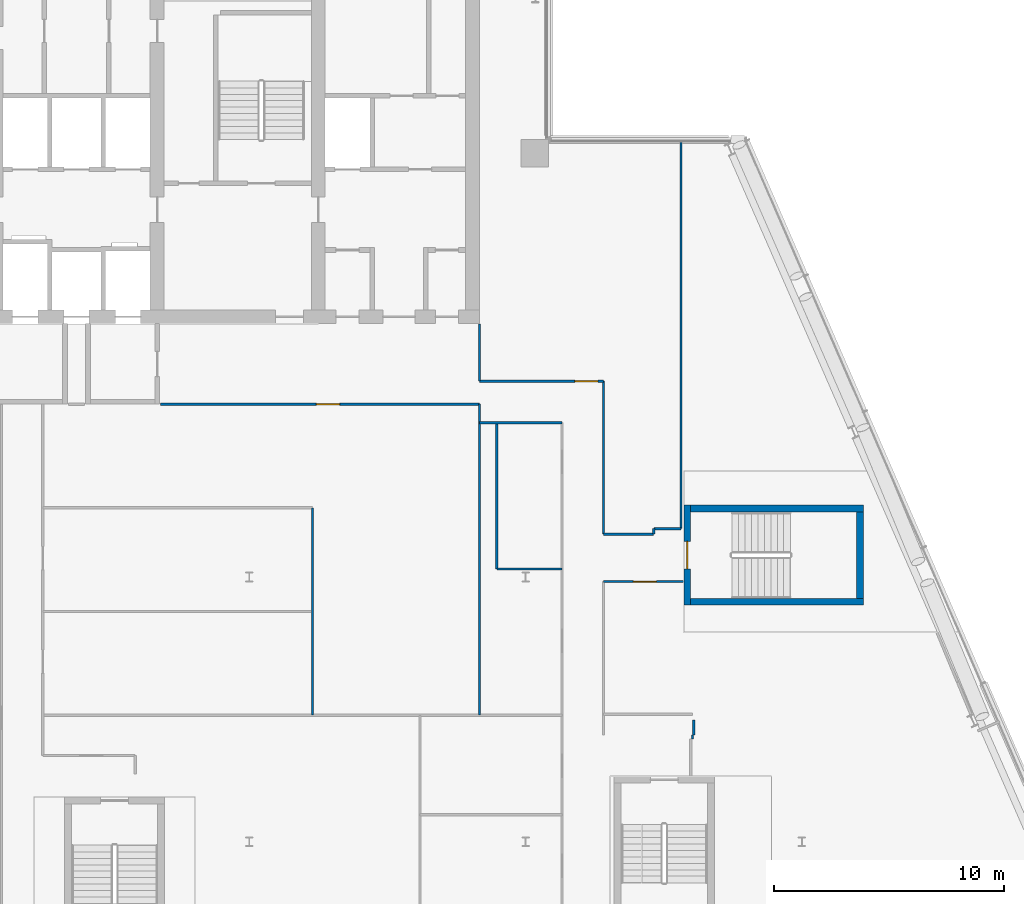
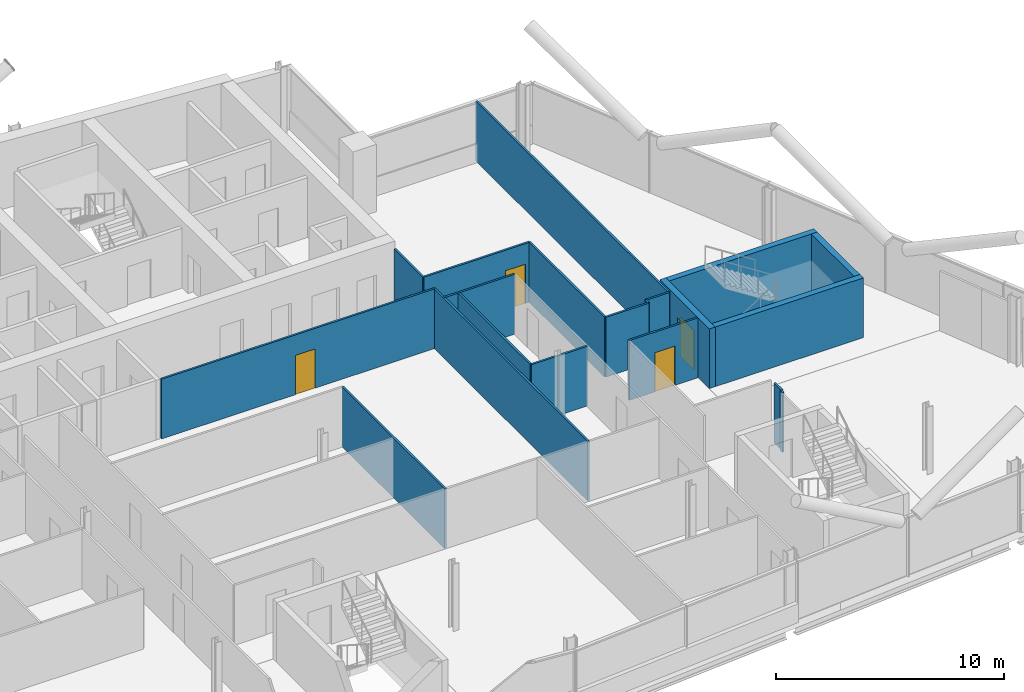
# One storey, part 17 of 27: 20 walls, 4 doors, 4 openings.
"""IFC4 building model written with IfcOpenShell, lengths in metres."""

from ifc_helpers import new_model, si_unit, direction, frame, frame_2d, origin, place, context, subcontext, project, spatial, rectangle, extrude, material, layer, layer_set, type_object, element, fill, save


model = new_model("IFC4")

# Units and contexts
model_context = context("Model", 3, precision=1e-05, world=origin(), true_north=direction((0.0, 1.0)))
body_context = subcontext(model_context, "Body", "Model", "MODEL_VIEW")
ifc_project = project(units=[si_unit("LENGTHUNIT", "METRE"), si_unit("AREAUNIT", "SQUARE_METRE"), si_unit("VOLUMEUNIT", "CUBIC_METRE"), si_unit("PLANEANGLEUNIT", "RADIAN"), si_unit("MASSUNIT", "GRAM", prefix="KILO")], contexts=[model_context])

# Site, building, storey
site_placement = place(None, origin())
site = spatial("IfcSite", under=ifc_project, at=site_placement, CompositionType="ELEMENT")
building_placement = place(site_placement, origin())
building = spatial("IfcBuilding", under=site, at=building_placement, Name="Wharfspan Tower", CompositionType="ELEMENT")
storey_placement = place(building_placement, frame((0.0, 0.0, 228.699951)))
storey = spatial("IfcBuildingStorey", under=building, at=storey_placement, Name="L57", CompositionType="ELEMENT", Elevation=228.699951)

# Walls
ifc_material_1 = material(Name="Gypsum board on steel studs", Category="steel")
ifc_layer_1 = layer(ifc_material_1, 0.100098)
ifc_layer_set_1 = layer_set([ifc_layer_1], Name="Gypsum board on steel studs")
wall_type_1 = type_object("IfcWallType", Name="Compartment wall 100 EI 60", PredefinedType="PARTITIONING", material=ifc_layer_set_1)
wall_1_placement = place(storey_placement, frame((58.0, 17.0, 0.0), z_axis=(0.0, 0.0, 1.0), x_axis=(0.0, 1.0, 0.0)))
element("IfcWall", 1, at=wall_1_placement, inside=storey, type_object=wall_type_1, Name="Partition L57.w033", PredefinedType="PARTITIONING", context=body_context, shape_type="SweptSolid", body=[
    extrude(rectangle(XDim=13.5, YDim=0.100098, at=frame_2d((6.75, 0.0))), origin(), (0.0, 0.0, 1.0), 3.199951),
])
wall_2_placement = place(storey_placement, frame((58.0, 29.699951, 0.0), z_axis=(0.0, 0.0, 1.0), x_axis=(1.0, 0.0, 0.0)))
element("IfcWall", 2, at=wall_2_placement, inside=storey, type_object=wall_type_1, Name="Partition L57.w034", PredefinedType="PARTITIONING", context=body_context, shape_type="SweptSolid", body=[
    extrude(rectangle(XDim=3.580078, YDim=0.100098, at=frame_2d((1.790039, 0.0))), origin(), (0.0, 0.0, 1.0), 3.199951),
])
wall_3_placement = place(storey_placement, frame((58.0, 31.5, 0.0), z_axis=(0.0, 0.0, 1.0), x_axis=(0.0, 1.0, 0.0)))
element("IfcWall", 3, at=wall_3_placement, inside=storey, type_object=wall_type_1, Name="Partition L57.w035", PredefinedType="PARTITIONING", context=body_context, shape_type="SweptSolid", body=[
    extrude(rectangle(XDim=2.47998, YDim=0.100098, at=frame_2d((1.23999, 0.0))), origin(), (0.0, 0.0, 1.0), 3.199951),
])

# Wall, opening, door
wall_4_placement = place(storey_placement, frame((58.0, 31.5, 0.0), z_axis=(0.0, 0.0, 1.0), x_axis=(1.0, 0.0, 0.0)))
wall_4 = element("IfcWall", 4, at=wall_4_placement, inside=storey, type_object=wall_type_1, Name="Partition L57.w036", PredefinedType="PARTITIONING", context=body_context, shape_type="SweptSolid", body=[
    extrude(rectangle(XDim=5.379883, YDim=0.100098, at=frame_2d((2.689941, 0.0))), origin(), (0.0, 0.0, 1.0), 3.199951),
])
opening_1_placement = place(wall_4_placement, frame((4.13501, 0.0, 0.0)))
opening_1 = element("IfcOpeningElement", 5, at=opening_1_placement, cuts=wall_4, Name="Opening D3-17", PredefinedType="OPENING", context=body_context, shape_type="SweptSolid", body=[
    extrude(rectangle(XDim=1.0, YDim=2.100098, at=frame_2d((0.5, 1.050049))), frame((0.0, 0.060059, 0.0), z_axis=(0.0, -1.0, 0.0), x_axis=(1.0, 0.0, 0.0)), (0.0, 0.0, 1.0), 0.120117),
])
ifc_material_2 = material(Name="Fire-rated timber door leaf in steel frame", Category="steel")
door_type_1 = type_object("IfcDoorType", Name="Door 1000 FD30S Right", OperationType="SINGLE_SWING_RIGHT", PredefinedType="DOOR", material=ifc_material_2)
door_1_placement = place(opening_1_placement, origin())
door_1 = element("IfcDoor", 6, at=door_1_placement, inside=storey, type_object=door_type_1, Name="Door D3-17", OperationType="SINGLE_SWING_RIGHT", OverallHeight=2.100098, OverallWidth=1.0, PredefinedType="DOOR", context=body_context, shape_type="SweptSolid", body=[
    extrude(rectangle(XDim=1.0, YDim=2.100098, at=frame_2d((0.5, 1.050049))), frame((0.0, 0.024902, 0.0), z_axis=(0.0, -1.0, 0.0), x_axis=(1.0, 0.0, 0.0)), (0.0, 0.0, 1.0), 0.050049),
])
fill(opening_1, door_1)

# Walls
wall_5_placement = place(storey_placement, frame((58.75, 23.350098, 0.0), z_axis=(0.0, 0.0, 1.0), x_axis=(0.0, 1.0, 0.0)))
element("IfcWall", 7, at=wall_5_placement, inside=storey, type_object=wall_type_1, Name="Partition L57.w037", PredefinedType="PARTITIONING", context=body_context, shape_type="SweptSolid", body=[
    extrude(rectangle(XDim=6.349854, YDim=0.100098, at=frame_2d((3.174805, 0.0))), origin(), (0.0, 0.0, 1.0), 3.199951),
])
wall_6_placement = place(storey_placement, frame((58.75, 23.350098, 0.0), z_axis=(0.0, 0.0, 1.0), x_axis=(1.0, 0.0, 0.0)))
element("IfcWall", 8, at=wall_6_placement, inside=storey, type_object=wall_type_1, Name="Partition L57.w038", PredefinedType="PARTITIONING", context=body_context, shape_type="SweptSolid", body=[
    extrude(rectangle(XDim=2.830078, YDim=0.100098, at=frame_2d((1.415039, 0.0))), origin(), (0.0, 0.0, 1.0), 3.199951),
])

# Wall, opening, door
wall_7_placement = place(storey_placement, frame((63.379883, 22.800049, 0.0), z_axis=(0.0, 0.0, 1.0), x_axis=(1.0, 0.0, 0.0)))
wall_7 = element("IfcWall", 9, at=wall_7_placement, inside=storey, type_object=wall_type_1, Name="Partition L57.w042", PredefinedType="PARTITIONING", context=body_context, shape_type="SweptSolid", body=[
    extrude(rectangle(XDim=3.469727, YDim=0.100098, at=frame_2d((1.734863, 0.0))), origin(), (0.0, 0.0, 1.0), 3.199951),
])
opening_2_placement = place(wall_7_placement, frame((1.300049, 0.0, 0.0)))
opening_2 = element("IfcOpeningElement", 10, at=opening_2_placement, cuts=wall_7, Name="Opening D3-09", PredefinedType="OPENING", context=body_context, shape_type="SweptSolid", body=[
    extrude(rectangle(XDim=1.0, YDim=2.100098, at=frame_2d((0.5, 1.050049))), frame((0.0, 0.060059, 0.0), z_axis=(0.0, -1.0, 0.0), x_axis=(1.0, 0.0, 0.0)), (0.0, 0.0, 1.0), 0.120117),
])
door_2_placement = place(opening_2_placement, origin())
door_2 = element("IfcDoor", 11, at=door_2_placement, inside=storey, type_object=door_type_1, Name="Door D3-09", OperationType="SINGLE_SWING_RIGHT", OverallHeight=2.100098, OverallWidth=1.0, PredefinedType="DOOR", context=body_context, shape_type="SweptSolid", body=[
    extrude(rectangle(XDim=1.0, YDim=2.100098, at=frame_2d((0.5, 1.050049))), frame((0.0, 0.024902, 0.0), z_axis=(0.0, -1.0, 0.0), x_axis=(1.0, 0.0, 0.0)), (0.0, 0.0, 1.0), 0.050049),
])
fill(opening_2, door_2)

# Walls
wall_8_placement = place(storey_placement, frame((63.379883, 24.85498, 0.0), z_axis=(0.0, 0.0, 1.0), x_axis=(0.0, 1.0, 0.0)))
element("IfcWall", 12, at=wall_8_placement, inside=storey, type_object=wall_type_1, Name="Partition L57.w043", PredefinedType="PARTITIONING", context=body_context, shape_type="SweptSolid", body=[
    extrude(rectangle(XDim=6.64502, YDim=0.100098, at=frame_2d((3.32251, 0.0))), origin(), (0.0, 0.0, 1.0), 3.199951),
])
wall_9_placement = place(storey_placement, frame((63.38501, 24.850098, 0.0), z_axis=(0.0, 0.0, 1.0), x_axis=(1.0, 0.0, 0.0)))
element("IfcWall", 13, at=wall_9_placement, inside=storey, type_object=wall_type_1, Name="Partition L57.w045", PredefinedType="PARTITIONING", context=body_context, shape_type="SweptSolid", body=[
    extrude(rectangle(XDim=2.179932, YDim=0.100098, at=frame_2d((1.089844, 0.0))), origin(), (0.0, 0.0, 1.0), 3.199951),
])
wall_10_placement = place(storey_placement, frame((65.570068, 24.85498, 0.0), z_axis=(0.0, 0.0, 1.0), x_axis=(0.0, 1.0, 0.0)))
element("IfcWall", 14, at=wall_10_placement, inside=storey, type_object=wall_type_1, Name="Partition L57.w047", PredefinedType="PARTITIONING", context=body_context, shape_type="SweptSolid", body=[
    extrude(rectangle(XDim=0.23999, YDim=0.100098, at=frame_2d((0.120117, 0.0))), origin(), (0.0, 0.0, 1.0), 3.199951),
])
wall_11_placement = place(storey_placement, frame((65.570068, 25.100098, 0.0), z_axis=(0.0, 0.0, 1.0), x_axis=(1.0, 0.0, 0.0)))
element("IfcWall", 15, at=wall_11_placement, inside=storey, type_object=wall_type_1, Name="Partition L57.w048", PredefinedType="PARTITIONING", context=body_context, shape_type="SweptSolid", body=[
    extrude(rectangle(XDim=1.179932, YDim=0.100098, at=frame_2d((0.589844, 0.0))), origin(), (0.0, 0.0, 1.0), 3.199951),
])
wall_12_placement = place(storey_placement, frame((66.75, 25.100098, 0.0), z_axis=(0.0, 0.0, 1.0), x_axis=(0.0, 1.0, 0.0)))
element("IfcWall", 16, at=wall_12_placement, inside=storey, type_object=wall_type_1, Name="Partition L57.w049", PredefinedType="PARTITIONING", context=body_context, shape_type="SweptSolid", body=[
    extrude(rectangle(XDim=16.879883, YDim=0.100098, at=frame_2d((8.439941, 0.0))), origin(), (0.0, 0.0, 1.0), 3.199951),
])
wall_13_placement = place(storey_placement, frame((67.25, 15.955078, 0.0), z_axis=(0.0, 0.0, 1.0), x_axis=(0.0, 1.0, 0.0)))
element("IfcWall", 17, at=wall_13_placement, inside=storey, type_object=wall_type_1, Name="Partition L57.w051", PredefinedType="PARTITIONING", context=body_context, shape_type="SweptSolid", body=[
    extrude(rectangle(XDim=0.189941, YDim=0.100098, at=frame_2d((0.094971, 0.0))), origin(), (0.0, 0.0, 1.0), 3.199951),
])
wall_14_placement = place(storey_placement, frame((67.300049, 16.14502, 0.0), z_axis=(0.0, 0.0, 1.0), x_axis=(0.0, 1.0, 0.0)))
element("IfcWall", 18, at=wall_14_placement, inside=storey, type_object=wall_type_1, Name="Partition L57.w052", PredefinedType="PARTITIONING", context=body_context, shape_type="SweptSolid", body=[
    extrude(rectangle(XDim=0.639893, YDim=0.100098, at=frame_2d((0.319824, 0.0))), origin(), (0.0, 0.0, 1.0), 3.199951),
])

# Wall, opening, door
wall_15_placement = place(storey_placement, frame((44.149902, 30.5, 0.0), z_axis=(0.0, 0.0, 1.0), x_axis=(1.0, 0.0, 0.0)))
wall_15 = element("IfcWall", 19, at=wall_15_placement, inside=storey, type_object=wall_type_1, Name="Partition L57.w025 (2)", PredefinedType="PARTITIONING", context=body_context, shape_type="SweptSolid", body=[
    extrude(rectangle(XDim=13.850098, YDim=0.100098, at=frame_2d((6.925049, 0.0))), origin(), (0.0, 0.0, 1.0), 3.199951),
])
opening_3_placement = place(wall_15_placement, frame((6.77002, 0.0, 0.0)))
opening_3 = element("IfcOpeningElement", 20, at=opening_3_placement, cuts=wall_15, Name="Opening D3-16", PredefinedType="OPENING", context=body_context, shape_type="SweptSolid", body=[
    extrude(rectangle(XDim=1.0, YDim=2.100098, at=frame_2d((0.5, 1.050049))), frame((0.0, 0.060059, 0.0), z_axis=(0.0, -1.0, 0.0), x_axis=(1.0, 0.0, 0.0)), (0.0, 0.0, 1.0), 0.120117),
])
door_3_placement = place(opening_3_placement, origin())
door_3 = element("IfcDoor", 21, at=door_3_placement, inside=storey, type_object=door_type_1, Name="Door D3-16", OperationType="SINGLE_SWING_RIGHT", OverallHeight=2.100098, OverallWidth=1.0, PredefinedType="DOOR", context=body_context, shape_type="SweptSolid", body=[
    extrude(rectangle(XDim=1.0, YDim=2.100098, at=frame_2d((0.5, 1.050049))), frame((0.0, 0.024902, 0.0), z_axis=(0.0, -1.0, 0.0), x_axis=(1.0, 0.0, 0.0)), (0.0, 0.0, 1.0), 0.050049),
])
fill(opening_3, door_3)

# Wall
ifc_layer_2 = layer(ifc_material_1, 0.100098)
ifc_layer_set_2 = layer_set([ifc_layer_2], Name="Gypsum board on steel studs")
wall_type_2 = type_object("IfcWallType", Name="Partition 100", PredefinedType="PARTITIONING", material=ifc_layer_set_2)
wall_16_placement = place(storey_placement, frame((50.75, 17.0, 0.0), z_axis=(0.0, 0.0, 1.0), x_axis=(0.0, 1.0, 0.0)))
element("IfcWall", 22, at=wall_16_placement, inside=storey, type_object=wall_type_2, Name="Partition L57.w027", PredefinedType="PARTITIONING", context=body_context, shape_type="SweptSolid", body=[
    extrude(rectangle(XDim=9.0, YDim=0.100098, at=frame_2d((4.5, 0.0))), origin(), (0.0, 0.0, 1.0), 3.199951),
])

# Wall, opening, door
ifc_material_3 = material(Name="Concrete C40/50", Category="concrete")
ifc_layer_3 = layer(ifc_material_3, 0.300049)
ifc_layer_set_3 = layer_set([ifc_layer_3], Name="Concrete C40/50")
wall_type_3 = type_object("IfcWallType", Name="Stair core wall 300", PredefinedType="SHEAR", material=ifc_layer_set_3)
wall_17_placement = place(storey_placement, frame((67.019531, 21.774902, 0.0), z_axis=(0.0, 0.0, 1.0), x_axis=(0.0, 1.0, 0.0)))
wall_17 = element("IfcWall", 23, at=wall_17_placement, inside=storey, type_object=wall_type_3, Name="ST6 stair enclosure wall L57", PredefinedType="SHEAR", context=body_context, shape_type="SweptSolid", body=[
    extrude(rectangle(XDim=4.350098, YDim=0.300049, at=frame_2d((2.175049, 0.0))), origin(), (0.0, 0.0, 1.0), 3.199951),
])
opening_4_placement = place(wall_17_placement, frame((1.574951, 0.0, 0.0)))
opening_4 = element("IfcOpeningElement", 24, at=opening_4_placement, cuts=wall_17, Name="Opening SD6.L57", PredefinedType="OPENING", context=body_context, shape_type="SweptSolid", body=[
    extrude(rectangle(XDim=1.199951, YDim=2.100098, at=frame_2d((0.600098, 1.050049))), frame((0.0, 0.159912, 0.0), z_axis=(0.0, -1.0, 0.0), x_axis=(1.0, 0.0, 0.0)), (0.0, 0.0, 1.0), 0.320068),
])
ifc_material_4 = material(Name="Steel door leaf", Category="steel")
door_type_2 = type_object("IfcDoorType", Name="Stair door 1200x2100", OperationType="SINGLE_SWING_LEFT", PredefinedType="DOOR", material=ifc_material_4)
door_4_placement = place(opening_4_placement, origin())
door_4 = element("IfcDoor", 25, at=door_4_placement, inside=storey, type_object=door_type_2, Name="sd:L57:ST6z4", OperationType="SINGLE_SWING_RIGHT", OverallHeight=2.100098, OverallWidth=1.199951, PredefinedType="DOOR", context=body_context, shape_type="SweptSolid", body=[
    extrude(rectangle(XDim=1.199951, YDim=2.100098, at=frame_2d((0.600098, 1.050049))), frame((0.0, 0.024902, 0.0), z_axis=(0.0, -1.0, 0.0), x_axis=(1.0, 0.0, 0.0)), (0.0, 0.0, 1.0), 0.050049),
])
fill(opening_4, door_4)

# Walls
for number, where, z_axis, x_axis, name in (
    (26, (67.169678, 21.925049, 0.0), (0.0, 0.0, 1.0), (1.0, 0.0, 0.0), "ST6 stair enclosure wall L57"),
    (27, (67.169678, 25.975098, 0.0), (0.0, 0.0, 1.0), (1.0, 0.0, 0.0), "ST6 stair enclosure wall L57"),
):
    element("IfcWall", number, at=place(storey_placement, frame(where, z_axis=z_axis, x_axis=x_axis)), inside=storey, type_object=wall_type_3, Name=name, PredefinedType="SHEAR", context=body_context, shape_type="SweptSolid", body=[
        extrude(rectangle(XDim=7.5, YDim=0.300049, at=frame_2d((3.75, 0.0))), origin(), (0.0, 0.0, 1.0), 3.199951),
    ])
wall_18_placement = place(storey_placement, frame((74.519531, 22.074951, 0.0), z_axis=(0.0, 0.0, 1.0), x_axis=(0.0, 1.0, 0.0)))
element("IfcWall", 28, at=wall_18_placement, inside=storey, type_object=wall_type_3, Name="ST6 stair enclosure wall L57", PredefinedType="SHEAR", context=body_context, shape_type="SweptSolid", body=[
    extrude(rectangle(XDim=3.75, YDim=0.300049, at=frame_2d((1.875, 0.0))), origin(), (0.0, 0.0, 1.0), 3.199951),
])

save(model, "model.ifc")
